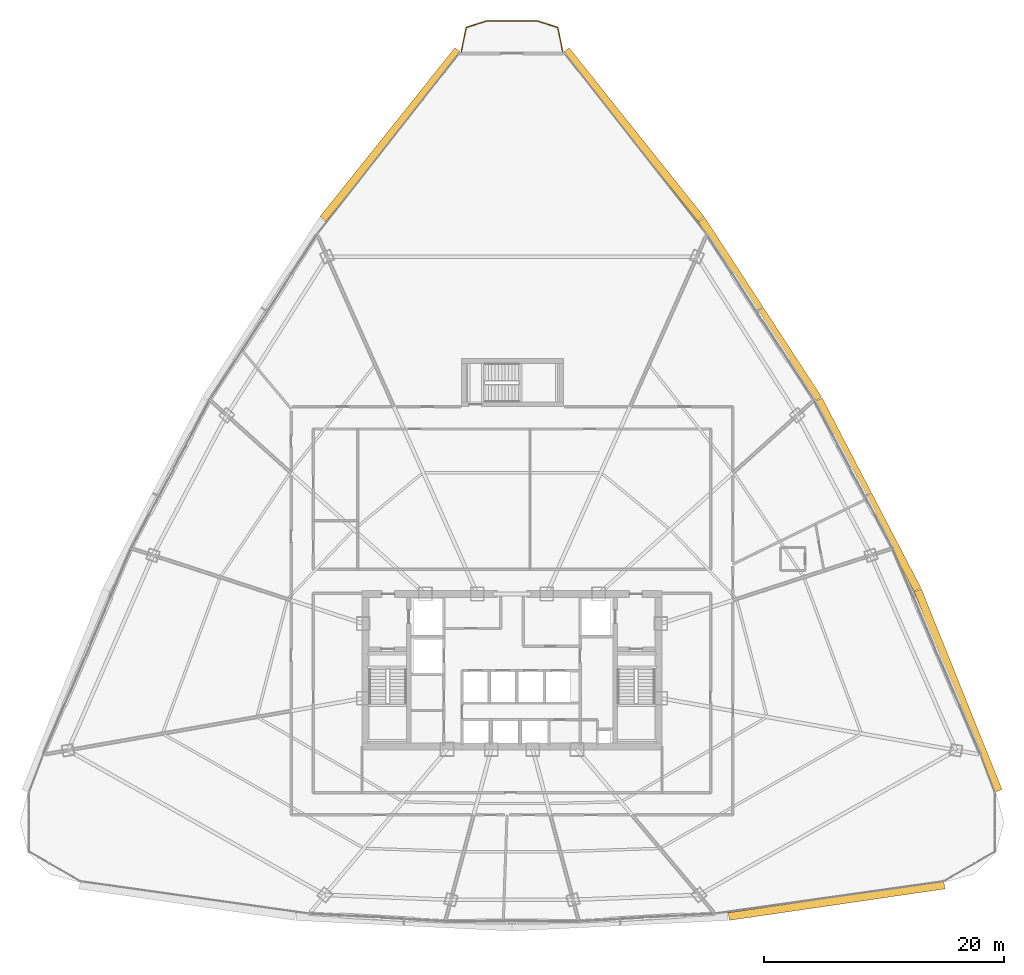
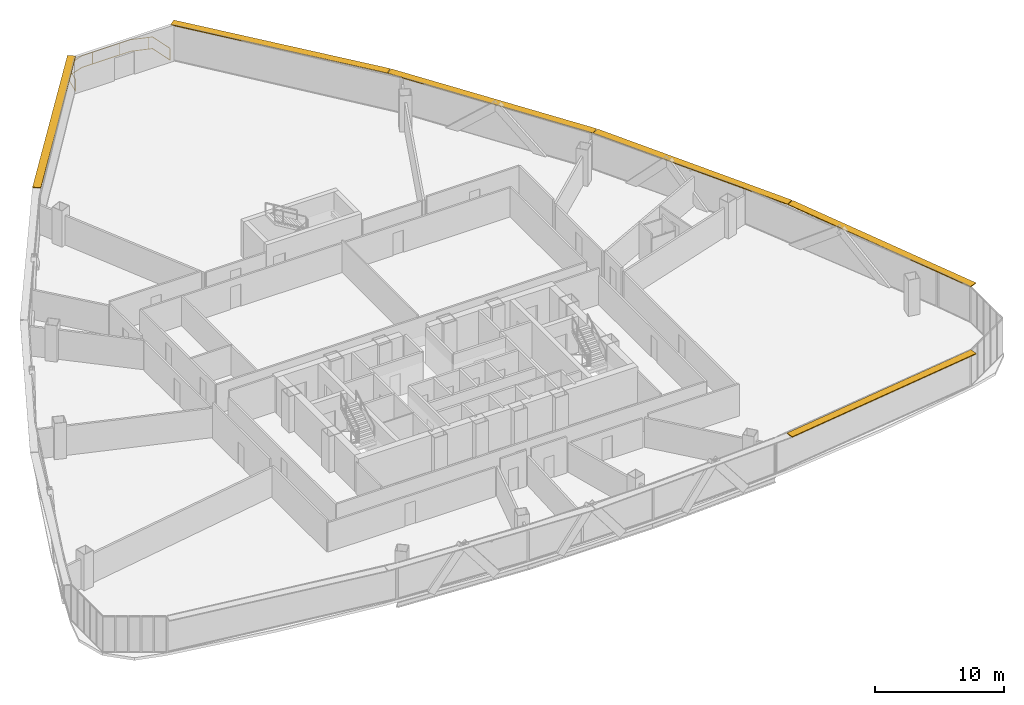
# One storey, part 42 of 42: 6 shading devices, 1 railing.
"""IFC4 building model written with IfcOpenShell, lengths in metres."""

from ifc_helpers import new_model, si_unit, direction, frame, origin, origin_2d, place, context, subcontext, project, spatial, rectangle, extrude, source, transform, mapped, material, layer, layer_set, type_object, element, save


model = new_model("IFC4")

# Units and contexts
model_context = context("Model", 3, precision=1e-05, world=origin(), true_north=direction((0.0, 1.0)))
body_context = subcontext(model_context, "Body", "Model", "MODEL_VIEW")
ifc_project = project(units=[si_unit("LENGTHUNIT", "METRE"), si_unit("AREAUNIT", "SQUARE_METRE"), si_unit("VOLUMEUNIT", "CUBIC_METRE"), si_unit("PLANEANGLEUNIT", "RADIAN"), si_unit("MASSUNIT", "GRAM", prefix="KILO"), si_unit("THERMODYNAMICTEMPERATUREUNIT", "KELVIN"), si_unit("POWERUNIT", "WATT")], contexts=[model_context])

# Site, building, storey
site_placement = place(None, origin())
site = spatial("IfcSite", under=ifc_project, at=site_placement, CompositionType="ELEMENT")
building_placement = place(site_placement, origin())
building = spatial("IfcBuilding", under=site, at=building_placement, Name="Yunzhuo Pagoda Commons", CompositionType="ELEMENT")
storey_placement = place(building_placement, frame((0.0, 0.0, 133.510009765625)))
storey = spatial("IfcBuildingStorey", under=building, at=storey_placement, Name="L33", CompositionType="ELEMENT", Elevation=133.510009765625)

# Railing
ifc_material = material(Name="Anodized aluminium 6063-T6", Category="aluminium")
railing_type = type_object("IfcRailingType", Name="RL-BAL1 Exterior Terrace & Balcony Balustrade 1150", PredefinedType="BALUSTRADE", material=ifc_material)
railing_placement = place(storey_placement, frame((52.22119140625, 85.37353515625, 0.0)))
element("IfcRailing", 1, at=railing_placement, inside=storey, type_object=railing_type, Name="L33 corner balcony balustrade V3", PredefinedType="BALUSTRADE", context=body_context, shape_type="SweptSolid", body=[
    extrude(rectangle(XDim=0.048095703125, YDim=0.048095703125, at=origin_2d()), frame((0.0, 0.0, 1.1259765625), z_axis=(-0.194200568098, 0.980961843983, 0.0), x_axis=(-0.980961843983, -0.194200568098, 0.0)), (0.0, 0.0, 1.0), 2.059326171875),
    extrude(rectangle(XDim=0.048095703125, YDim=0.048095703125, at=origin_2d()), frame((0.0, 0.0, 0.02392578125), z_axis=(-0.194200568098, 0.980961843983, 0.0), x_axis=(-0.980961843983, -0.194200568098, 0.0)), (0.0, 0.0, 1.0), 2.059326171875),
    extrude(rectangle(XDim=0.048095703125, YDim=0.048095703125, at=origin_2d()), frame((-0.39990234375, 2.02001953125, 1.1259765625), z_axis=(-0.953179725889, 0.302404381836, 0.0), x_axis=(-0.302404381836, -0.953179725889, 0.0)), (0.0, 0.0, 1.0), 1.752685546875),
    extrude(rectangle(XDim=0.048095703125, YDim=0.048095703125, at=origin_2d()), frame((-0.39990234375, 2.02001953125, 0.02392578125), z_axis=(-0.953179725889, 0.302404381836, 0.0), x_axis=(-0.302404381836, -0.953179725889, 0.0)), (0.0, 0.0, 1.0), 1.752685546875),
    extrude(rectangle(XDim=0.048095703125, YDim=0.048095703125, at=origin_2d()), frame((-2.070556640625, 2.550048828125, 1.1259765625), z_axis=(-1.0, 0.0, 0.0), x_axis=(0.0, -1.0, 0.0)), (0.0, 0.0, 1.0), 4.30126953125),
    extrude(rectangle(XDim=0.048095703125, YDim=0.048095703125, at=origin_2d()), frame((-2.070556640625, 2.550048828125, 0.02392578125), z_axis=(-1.0, 0.0, 0.0), x_axis=(0.0, -1.0, 0.0)), (0.0, 0.0, 1.0), 4.30126953125),
    extrude(rectangle(XDim=0.048095703125, YDim=0.048095703125, at=origin_2d()), frame((-6.371826171875, 2.550048828125, 1.1259765625), z_axis=(-0.953179725889, -0.302404381836, 0.0), x_axis=(0.302404381836, -0.953179725889, 0.0)), (0.0, 0.0, 1.0), 1.752685546875),
    extrude(rectangle(XDim=0.048095703125, YDim=0.048095703125, at=origin_2d()), frame((-6.371826171875, 2.550048828125, 0.02392578125), z_axis=(-0.953179725889, -0.302404381836, 0.0), x_axis=(0.302404381836, -0.953179725889, 0.0)), (0.0, 0.0, 1.0), 1.752685546875),
    extrude(rectangle(XDim=0.048095703125, YDim=0.048095703125, at=origin_2d()), frame((-8.04248046875, 2.02001953125, 1.1259765625), z_axis=(-0.194200568098, -0.980961843983, 0.0), x_axis=(0.980961843983, -0.194200568098, 0.0)), (0.0, 0.0, 1.0), 2.059326171875),
    extrude(rectangle(XDim=0.048095703125, YDim=0.048095703125, at=origin_2d()), frame((-8.04248046875, 2.02001953125, 0.02392578125), z_axis=(-0.194200568098, -0.980961843983, 0.0), x_axis=(0.980961843983, -0.194200568098, 0.0)), (0.0, 0.0, 1.0), 2.059326171875),
    extrude(rectangle(XDim=0.0419921875, YDim=0.0419921875, at=origin_2d()), origin(), (0.0, 0.0, 1.0), 1.101806640625),
    extrude(rectangle(XDim=0.0419921875, YDim=0.0419921875, at=origin_2d()), frame((-0.724609375, 2.123046875, 0.0)), (0.0, 0.0, 1.0), 1.101806640625),
    extrude(rectangle(XDim=0.0419921875, YDim=0.0419921875, at=origin_2d()), frame((-3.05859375, 2.550048828125, 0.0)), (0.0, 0.0, 1.0), 1.101806640625),
    extrude(rectangle(XDim=0.0419921875, YDim=0.0419921875, at=origin_2d()), frame((-5.45849609375, 2.550048828125, 0.0)), (0.0, 0.0, 1.0), 1.101806640625),
    extrude(rectangle(XDim=0.0419921875, YDim=0.0419921875, at=origin_2d()), frame((-7.7890625, 2.100341796875, 0.0)), (0.0, 0.0, 1.0), 1.101806640625),
    extrude(rectangle(XDim=0.0419921875, YDim=0.0419921875, at=origin_2d()), frame((-8.4423828125, 0.0, 0.0)), (0.0, 0.0, 1.0), 1.101806640625),
])

# Shading devices
ifc_layer = layer(ifc_material, 0.080078125)
ifc_layer_set = layer_set([ifc_layer], Name="Anodized aluminium 6063-T6")
shading_device_type = type_object("IfcShadingDeviceType", Name="SH-SUN1 Pagoda Horizontal Sunshade Eave 650", PredefinedType="USERDEFINED", material=ifc_layer_set)
shared_shape_1 = source(origin(), body_context, "Body", "SweptSolid", [
    extrude(rectangle(XDim=18.156982421875, YDim=0.64990234375, at=origin_2d()), origin(), (0.0, 0.0, 1.0), 0.080078125),
])
shading_device_placement = place(storey_placement, frame((75.043701171875, 14.6376953125, 3.33984375), z_axis=(0.0, 0.0, 1.0), x_axis=(0.989510666697, 0.144459823108, 0.0)))
element("IfcShadingDevice", 2, at=shading_device_placement, inside=storey, type_object=shading_device_type, Name="L33 horizontal pagoda sunshade eave F1.4", ObjectType="SUNSHADE", PredefinedType="USERDEFINED", context=body_context, shape_type="MappedRepresentation", body=[
    mapped(shared_shape_1, transform((0.0, 0.0, 0.0), scale=1.0)),
])
shared_shape_2 = source(origin(), body_context, "Body", "SweptSolid", [
    extrude(rectangle(XDim=18.010986328125, YDim=0.64990234375, at=origin_2d()), origin(), (0.0, 0.0, 1.0), 0.080078125),
])
for number, where, z_axis, x_axis, name in (
    (3, (85.169677734375, 32.144775390625, 3.33984375), (0.0, 0.0, 1.0), (-0.372987782576, 0.927836253899, 0.0), "L33 horizontal pagoda sunshade eave F2.1"),
    (4, (58.125244140625, 78.474365234375, 3.33984375), (0.0, 0.0, 1.0), (-0.624520471688, 0.781008438138, 0.0), "L33 horizontal pagoda sunshade eave F2.4"),
    (5, (37.874755859375, 78.474365234375, 3.33984375), (0.0, 0.0, 1.0), (-0.624520471688, -0.781008438138, 0.0), "L33 horizontal pagoda sunshade eave F3.1"),
):
    element("IfcShadingDevice", number, at=place(storey_placement, frame(where, z_axis=z_axis, x_axis=x_axis)), inside=storey, type_object=shading_device_type, Name=name, ObjectType="SUNSHADE", PredefinedType="USERDEFINED", context=body_context, shape_type="MappedRepresentation", body=[
        mapped(shared_shape_2, transform((0.0, 0.0, 0.0), scale=1.0)),
    ])
shared_shape_3 = source(origin(), body_context, "Body", "SweptSolid", [
    extrude(rectangle(XDim=17.840087890625, YDim=0.64990234375, at=origin_2d()), origin(), (0.0, 0.0, 1.0), 0.080078125),
])
for number, where, z_axis, x_axis, name in (
    (6, (77.67041015625, 48.472412109375, 3.33984375), (0.0, 0.0, 1.0), (-0.461206683033, 0.88729273384, 0.0), "L33 horizontal pagoda sunshade eave F2.2"),
    (7, (68.655517578125, 63.915771484375, 3.33984375), (0.0, 0.0, 1.0), (-0.545838756973, 0.837890238269, 0.0), "L33 horizontal pagoda sunshade eave F2.3"),
):
    element("IfcShadingDevice", number, at=place(storey_placement, frame(where, z_axis=z_axis, x_axis=x_axis)), inside=storey, type_object=shading_device_type, Name=name, ObjectType="SUNSHADE", PredefinedType="USERDEFINED", context=body_context, shape_type="MappedRepresentation", body=[
        mapped(shared_shape_3, transform((0.0, 0.0, 0.0), scale=1.0)),
    ])

save(model, "model.ifc")
